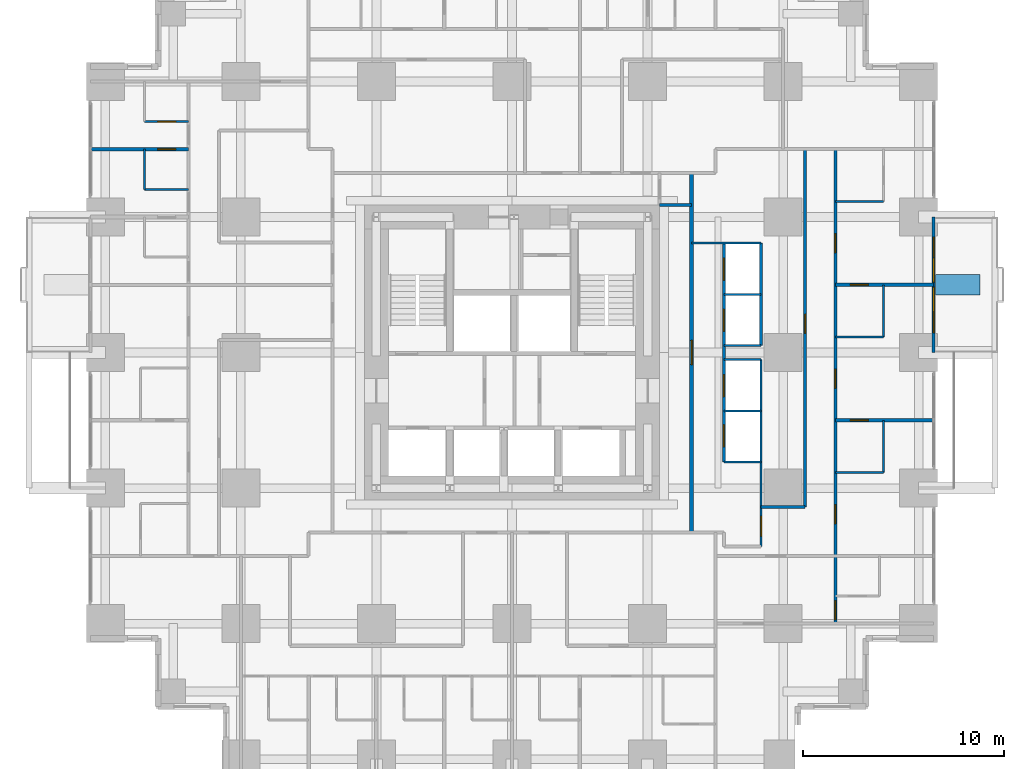
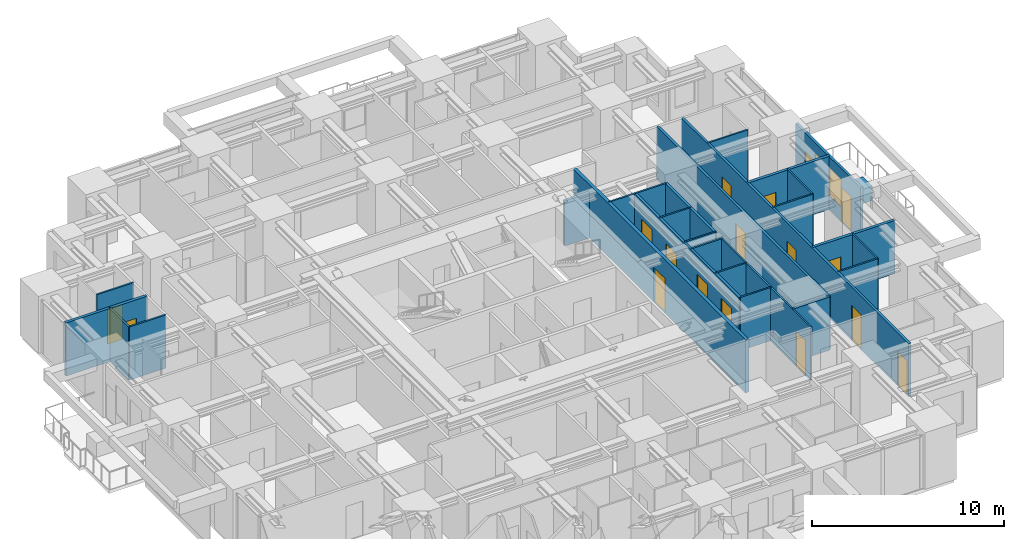
# One storey, part 11 of 14: 27 walls, 17 doors, 2 windows, 19 openings.
"""IFC4 building model written with IfcOpenShell, lengths in metres."""

from ifc_helpers import new_model, si_unit, direction, frame, frame_2d, origin, place, context, subcontext, project, spatial, rectangle, extrude, material, layer, layer_set, type_object, element, fill, save


model = new_model("IFC4")

# Units and contexts
model_context = context("Model", 3, precision=1e-05, world=origin(), true_north=direction((0.0, 1.0)))
body_context = subcontext(model_context, "Body", "Model", "MODEL_VIEW")
ifc_project = project(units=[si_unit("LENGTHUNIT", "METRE"), si_unit("AREAUNIT", "SQUARE_METRE"), si_unit("VOLUMEUNIT", "CUBIC_METRE"), si_unit("PLANEANGLEUNIT", "RADIAN"), si_unit("MASSUNIT", "GRAM", prefix="KILO")], contexts=[model_context])

# Site, building, storey
site_placement = place(None, origin())
site = spatial("IfcSite", under=ifc_project, at=site_placement, CompositionType="ELEMENT")
building_placement = place(site_placement, origin())
building = spatial("IfcBuilding", under=site, at=building_placement, Name="Nyansa Garden Tower", CompositionType="ELEMENT")
storey_placement = place(building_placement, frame((0.0, 0.0, 43.199951171875)))
storey = spatial("IfcBuildingStorey", under=building, at=storey_placement, Name="L11", CompositionType="ELEMENT", Elevation=43.199951171875)

# Wall, opening, door
ifc_material_1 = material(Name="Dense blockwork, plastered both sides, 55 dB", Category="masonry")
ifc_layer_1 = layer(ifc_material_1, 0.175048828125)
ifc_layer_set_1 = layer_set([ifc_layer_1], Name="Acoustic party wall PW175")
wall_type_1 = type_object("IfcWallType", Name="Acoustic party wall PW175", PredefinedType="PARTITIONING", material=ifc_layer_set_1)
wall_1_placement = place(storey_placement, frame((-0.73388671875, 30.375, 0.0), z_axis=(0.0, 0.0, 1.0), x_axis=(1.0, 0.0, 0.0)))
wall_1 = element("IfcWall", 1, at=wall_1_placement, inside=storey, type_object=wall_type_1, Name="Party wall", PredefinedType="PARTITIONING", context=body_context, shape_type="SweptSolid", body=[
    extrude(rectangle(XDim=4.8837890625, YDim=0.175048828125, at=frame_2d((2.44189453125, 0.0))), origin(), (0.0, 0.0, 1.0), 3.375),
])
opening_1_placement = place(wall_1_placement, frame((3.333984375, 0.0, 0.0)))
opening_1 = element("IfcOpeningElement", 2, at=opening_1_placement, cuts=wall_1, Name="Opening D02", PredefinedType="OPENING", context=body_context, shape_type="SweptSolid", body=[
    extrude(rectangle(XDim=0.89990234375, YDim=2.199951171875, at=frame_2d((0.449951171875, 1.10009765625))), frame((0.0, 0.097412109375, 0.0), z_axis=(0.0, -1.0, 0.0), x_axis=(1.0, 0.0, 0.0)), (0.0, 0.0, 1.0), 0.195068359375),
])
ifc_material_2 = material(Name="Timber flush door", Category="wood")
door_type_1 = type_object("IfcDoorType", Name="En-suite door D02 900x2200", OperationType="SINGLE_SWING_RIGHT", PredefinedType="DOOR", material=ifc_material_2)
door_1_placement = place(opening_1_placement, origin())
door_1 = element("IfcDoor", 3, at=door_1_placement, inside=storey, type_object=door_type_1, Name="Door L11-065", OperationType="SINGLE_SWING_RIGHT", OverallHeight=2.199951171875, OverallWidth=0.89990234375, PredefinedType="DOOR", context=body_context, shape_type="SweptSolid", body=[
    extrude(rectangle(XDim=0.89990234375, YDim=2.199951171875, at=frame_2d((0.449951171875, 1.10009765625))), frame((0.0, 0.02490234375, 0.0), z_axis=(0.0, -1.0, 0.0), x_axis=(1.0, 0.0, 0.0)), (0.0, 0.0, 1.0), 0.050048828125),
])
fill(opening_1, door_1)

wall_2_placement = place(storey_placement, frame((36.35009765625, 16.875, 0.0), z_axis=(0.0, 0.0, 1.0), x_axis=(1.0, 0.0, 0.0)))
wall_2 = element("IfcWall", 4, at=wall_2_placement, inside=storey, type_object=wall_type_1, Name="Party wall", PredefinedType="PARTITIONING", context=body_context, shape_type="SweptSolid", body=[
    extrude(rectangle(XDim=4.8837890625, YDim=0.175048828125, at=frame_2d((2.44189453125, 0.0))), origin(), (0.0, 0.0, 1.0), 3.375),
])
opening_2_placement = place(wall_2_placement, frame((0.75, 0.0, 0.0)))
opening_2 = element("IfcOpeningElement", 5, at=opening_2_placement, cuts=wall_2, Name="Opening D02", PredefinedType="OPENING", context=body_context, shape_type="SweptSolid", body=[
    extrude(rectangle(XDim=0.89990234375, YDim=2.199951171875, at=frame_2d((0.449951171875, 1.10009765625))), frame((0.0, 0.097412109375, 0.0), z_axis=(0.0, -1.0, 0.0), x_axis=(1.0, 0.0, 0.0)), (0.0, 0.0, 1.0), 0.195068359375),
])
door_2_placement = place(opening_2_placement, origin())
door_2 = element("IfcDoor", 6, at=door_2_placement, inside=storey, type_object=door_type_1, Name="Door L11-045", OperationType="SINGLE_SWING_RIGHT", OverallHeight=2.199951171875, OverallWidth=0.89990234375, PredefinedType="DOOR", context=body_context, shape_type="SweptSolid", body=[
    extrude(rectangle(XDim=0.89990234375, YDim=2.199951171875, at=frame_2d((0.449951171875, 1.10009765625))), frame((0.0, 0.02490234375, 0.0), z_axis=(0.0, -1.0, 0.0), x_axis=(1.0, 0.0, 0.0)), (0.0, 0.0, 1.0), 0.050048828125),
])
fill(opening_2, door_2)

wall_3_placement = place(storey_placement, frame((36.35009765625, 23.625, 0.0), z_axis=(0.0, 0.0, 1.0), x_axis=(1.0, 0.0, 0.0)))
wall_3 = element("IfcWall", 7, at=wall_3_placement, inside=storey, type_object=wall_type_1, Name="Party wall", PredefinedType="PARTITIONING", context=body_context, shape_type="SweptSolid", body=[
    extrude(rectangle(XDim=4.8837890625, YDim=0.175048828125, at=frame_2d((2.44189453125, 0.0))), origin(), (0.0, 0.0, 1.0), 3.375),
])
opening_3_placement = place(wall_3_placement, frame((0.75, 0.0, 0.0)))
opening_3 = element("IfcOpeningElement", 8, at=opening_3_placement, cuts=wall_3, Name="Opening D02", PredefinedType="OPENING", context=body_context, shape_type="SweptSolid", body=[
    extrude(rectangle(XDim=0.89990234375, YDim=2.199951171875, at=frame_2d((0.449951171875, 1.10009765625))), frame((0.0, 0.097412109375, 0.0), z_axis=(0.0, -1.0, 0.0), x_axis=(1.0, 0.0, 0.0)), (0.0, 0.0, 1.0), 0.195068359375),
])
door_3_placement = place(opening_3_placement, origin())
door_3 = element("IfcDoor", 9, at=door_3_placement, inside=storey, type_object=door_type_1, Name="Door L11-043", OperationType="SINGLE_SWING_RIGHT", OverallHeight=2.199951171875, OverallWidth=0.89990234375, PredefinedType="DOOR", context=body_context, shape_type="SweptSolid", body=[
    extrude(rectangle(XDim=0.89990234375, YDim=2.199951171875, at=frame_2d((0.449951171875, 1.10009765625))), frame((0.0, 0.02490234375, 0.0), z_axis=(0.0, -1.0, 0.0), x_axis=(1.0, 0.0, 0.0)), (0.0, 0.0, 1.0), 0.050048828125),
])
fill(opening_3, door_3)

# Wall, openings, doors, windows
ifc_material_3 = material(Name="Black aluminium framed glazed screen", Category="aluminium")
ifc_layer_2 = layer(ifc_material_3, 0.14990234375)
ifc_layer_set_2 = layer_set([ifc_layer_2], Name="Balcony screen wall BW150")
wall_type_2 = type_object("IfcWallType", Name="Balcony screen wall BW150", PredefinedType="SOLIDWALL", material=ifc_layer_set_2)
wall_4_placement = place(storey_placement, frame((41.25, 27.0, 0.0), z_axis=(0.0, 0.0, 1.0), x_axis=(0.0, -1.0, 0.0)))
wall_4 = element("IfcWall", 10, at=wall_4_placement, inside=storey, type_object=wall_type_2, Name="Glazed screen wall L11 E", PredefinedType="SOLIDWALL", context=body_context, shape_type="SweptSolid", body=[
    extrude(rectangle(XDim=6.75, YDim=0.14990234375, at=frame_2d((3.375, 0.0))), origin(), (0.0, 0.0, 1.0), 3.375),
])
opening_4_placement = place(wall_4_placement, frame((0.995849609375, 0.0, 0.0)))
opening_4 = element("IfcOpeningElement", 11, at=opening_4_placement, cuts=wall_4, Name="Opening D20", PredefinedType="OPENING", context=body_context, shape_type="SweptSolid", body=[
    extrude(rectangle(XDim=1.0, YDim=2.199951171875, at=frame_2d((0.5, 1.10009765625))), frame((0.0, 0.0849609375, 0.0), z_axis=(0.0, -1.0, 0.0), x_axis=(1.0, 0.0, 0.0)), (0.0, 0.0, 1.0), 0.169921875),
])
opening_5_placement = place(wall_4_placement, frame((2.041748046875, 0.0, 0.89990234375)))
opening_5 = element("IfcOpeningElement", 12, at=opening_5_placement, cuts=wall_4, Name="Opening W6", PredefinedType="OPENING", context=body_context, shape_type="SweptSolid", body=[
    extrude(rectangle(XDim=1.199951171875, YDim=1.800048828125, at=frame_2d((0.60009765625, 0.89990234375))), frame((0.0, 0.0849609375, 0.0), z_axis=(0.0, -1.0, 0.0), x_axis=(1.0, 0.0, 0.0)), (0.0, 0.0, 1.0), 0.169921875),
])
opening_6_placement = place(wall_4_placement, frame((4.754150390625, 0.0, 0.0)))
opening_6 = element("IfcOpeningElement", 13, at=opening_6_placement, cuts=wall_4, Name="Opening D20", PredefinedType="OPENING", context=body_context, shape_type="SweptSolid", body=[
    extrude(rectangle(XDim=1.0, YDim=2.199951171875, at=frame_2d((0.5, 1.10009765625))), frame((0.0, 0.0849609375, 0.0), z_axis=(0.0, -1.0, 0.0), x_axis=(1.0, 0.0, 0.0)), (0.0, 0.0, 1.0), 0.169921875),
])
opening_7_placement = place(wall_4_placement, frame((3.50830078125, 0.0, 0.89990234375)))
opening_7 = element("IfcOpeningElement", 14, at=opening_7_placement, cuts=wall_4, Name="Opening W6", PredefinedType="OPENING", context=body_context, shape_type="SweptSolid", body=[
    extrude(rectangle(XDim=1.199951171875, YDim=1.800048828125, at=frame_2d((0.60009765625, 0.89990234375))), frame((0.0, 0.0849609375, 0.0), z_axis=(0.0, -1.0, 0.0), x_axis=(1.0, 0.0, 0.0)), (0.0, 0.0, 1.0), 0.169921875),
])
ifc_material_4 = material(Name="Black aluminium framed glazed door", Category="aluminium")
door_type_2 = type_object("IfcDoorType", Name="Balcony door D20 1000x2200", OperationType="NOTDEFINED", PredefinedType="DOOR", material=ifc_material_4)
door_4_placement = place(opening_4_placement, origin())
door_4 = element("IfcDoor", 15, at=door_4_placement, inside=storey, type_object=door_type_2, Name="Balcony door L11", OperationType="SINGLE_SWING_LEFT", OverallHeight=2.199951171875, OverallWidth=1.0, PredefinedType="DOOR", context=body_context, shape_type="SweptSolid", body=[
    extrude(rectangle(XDim=1.0, YDim=2.199951171875, at=frame_2d((0.5, 1.10009765625))), frame((0.0, 0.02490234375, 0.0), z_axis=(0.0, -1.0, 0.0), x_axis=(1.0, 0.0, 0.0)), (0.0, 0.0, 1.0), 0.050048828125),
])
fill(opening_4, door_4)
door_5_placement = place(opening_6_placement, origin())
door_5 = element("IfcDoor", 16, at=door_5_placement, inside=storey, type_object=door_type_2, Name="Balcony door L11", OperationType="SINGLE_SWING_RIGHT", OverallHeight=2.199951171875, OverallWidth=1.0, PredefinedType="DOOR", context=body_context, shape_type="SweptSolid", body=[
    extrude(rectangle(XDim=1.0, YDim=2.199951171875, at=frame_2d((0.5, 1.10009765625))), frame((0.0, 0.02490234375, 0.0), z_axis=(0.0, -1.0, 0.0), x_axis=(1.0, 0.0, 0.0)), (0.0, 0.0, 1.0), 0.050048828125),
])
fill(opening_6, door_5)
ifc_material_5 = material(Name="Black aluminium frame, dark tinted double glazing", Category="aluminium")
window_type = type_object("IfcWindowType", Name="Balcony window W6 1200x1800", PartitioningType="SINGLE_PANEL", PredefinedType="WINDOW", material=ifc_material_5)
window_1_placement = place(opening_5_placement, origin())
window_1 = element("IfcWindow", 17, at=window_1_placement, inside=storey, type_object=window_type, Name="Window L11", OverallHeight=1.800048828125, OverallWidth=1.199951171875, PartitioningType="SINGLE_PANEL", PredefinedType="WINDOW", context=body_context, shape_type="SweptSolid", body=[
    extrude(rectangle(XDim=1.199951171875, YDim=1.800048828125, at=frame_2d((0.60009765625, 0.89990234375))), frame((0.0, 0.030029296875, 0.0), z_axis=(0.0, -1.0, 0.0), x_axis=(1.0, 0.0, 0.0)), (0.0, 0.0, 1.0), 0.06005859375),
])
fill(opening_5, window_1)
window_2_placement = place(opening_7_placement, origin())
window_2 = element("IfcWindow", 18, at=window_2_placement, inside=storey, type_object=window_type, Name="Window L11", OverallHeight=1.800048828125, OverallWidth=1.199951171875, PartitioningType="SINGLE_PANEL", PredefinedType="WINDOW", context=body_context, shape_type="SweptSolid", body=[
    extrude(rectangle(XDim=1.199951171875, YDim=1.800048828125, at=frame_2d((0.60009765625, 0.89990234375))), frame((0.0, 0.030029296875, 0.0), z_axis=(0.0, -1.0, 0.0), x_axis=(1.0, 0.0, 0.0)), (0.0, 0.0, 1.0), 0.06005859375),
])
fill(opening_7, window_2)

# Wall, opening, door
ifc_material_6 = material(Name="Concrete blockwork, plastered, 60 minute fire resisting", Category="masonry")
ifc_layer_3 = layer(ifc_material_6, 0.199951171875)
ifc_layer_set_3 = layer_set([ifc_layer_3], Name="Corridor wall FW200")
wall_type_3 = type_object("IfcWallType", Name="Corridor wall FW200", PredefinedType="PARTITIONING", material=ifc_layer_set_3)
wall_5_placement = place(storey_placement, frame((29.199951171875, 11.300048828125, 0.0), z_axis=(0.0, 0.0, 1.0), x_axis=(0.0, 1.0, 0.0)))
wall_5 = element("IfcWall", 19, at=wall_5_placement, inside=storey, type_object=wall_type_3, Name="Corridor wall", PredefinedType="PARTITIONING", context=body_context, shape_type="SweptSolid", body=[
    extrude(rectangle(XDim=17.89990234375, YDim=0.199951171875, at=frame_2d((8.949951171875, 0.0))), origin(), (0.0, 0.0, 1.0), 3.375),
])
opening_8_placement = place(wall_5_placement, frame((8.35009765625, 0.0, 0.0)))
opening_8 = element("IfcOpeningElement", 20, at=opening_8_placement, cuts=wall_5, Name="Opening D06", PredefinedType="OPENING", context=body_context, shape_type="SweptSolid", body=[
    extrude(rectangle(XDim=1.199951171875, YDim=2.199951171875, at=frame_2d((0.60009765625, 1.10009765625))), frame((0.0, 0.10986328125, 0.0), z_axis=(0.0, -1.0, 0.0), x_axis=(1.0, 0.0, 0.0)), (0.0, 0.0, 1.0), 0.219970703125),
])
ifc_material_7 = material(Name="Steel door, 120 minute fire resisting", Category="steel")
door_type_3 = type_object("IfcDoorType", Name="Lobby door D06 1200x2200", OperationType="DOUBLE_DOOR_SINGLE_SWING", PredefinedType="DOOR", material=ifc_material_7)
door_6_placement = place(opening_8_placement, origin())
door_6 = element("IfcDoor", 21, at=door_6_placement, inside=storey, type_object=door_type_3, Name="Low-rise lift lobby door", OperationType="DOUBLE_DOOR_SINGLE_SWING", OverallHeight=2.199951171875, OverallWidth=1.199951171875, PredefinedType="DOOR", context=body_context, shape_type="SweptSolid", body=[
    extrude(rectangle(XDim=1.199951171875, YDim=2.199951171875, at=frame_2d((0.60009765625, 1.10009765625))), frame((0.0, 0.02490234375, 0.0), z_axis=(0.0, -1.0, 0.0), x_axis=(1.0, 0.0, 0.0)), (0.0, 0.0, 1.0), 0.050048828125),
])
fill(opening_8, door_6)

# Walls
ifc_material_8 = material(Name="Steel-stud shaft wall, two layers fire-rated board, EI 120", Category="steel")
ifc_layer_4 = layer(ifc_material_8, 0.10009765625)
ifc_layer_set_4 = layer_set([ifc_layer_4], Name="Lift shaft wall SW100")
wall_type_4 = type_object("IfcWallType", Name="Lift shaft wall SW100", PredefinedType="SHEAR", material=ifc_layer_set_4)
wall_6_placement = place(storey_placement, frame((29.199951171875, 25.699951171875, 0.0), z_axis=(0.0, 0.0, 1.0), x_axis=(1.0, 0.0, 0.0)))
element("IfcWall", 22, at=wall_6_placement, inside=storey, type_object=wall_type_4, Name="Lift shaft wall", PredefinedType="SHEAR", context=body_context, shape_type="SweptSolid", body=[
    extrude(rectangle(XDim=3.449951171875, YDim=0.10009765625, at=frame_2d((1.72509765625, 0.0))), origin(), (0.0, 0.0, 1.0), 3.375),
])
for number, where, z_axis, x_axis, name in (
    (23, (30.800048828125, 14.800048828125, 0.0), (0.0, 0.0, 1.0), (1.0, 0.0, 0.0), "Lift shaft wall"),
    (24, (30.800048828125, 17.35009765625, 0.0), (0.0, 0.0, 1.0), (1.0, 0.0, 0.0), "Lift shaft wall"),
    (25, (30.800048828125, 19.89990234375, 0.0), (0.0, 0.0, 1.0), (1.0, 0.0, 0.0), "Lift shaft wall"),
    (26, (30.800048828125, 20.60009765625, 0.0), (0.0, 0.0, 1.0), (1.0, 0.0, 0.0), "Lift shaft wall"),
    (27, (30.800048828125, 23.14990234375, 0.0), (0.0, 0.0, 1.0), (1.0, 0.0, 0.0), "Lift shaft wall"),
):
    element("IfcWall", number, at=place(storey_placement, frame(where, z_axis=z_axis, x_axis=x_axis)), inside=storey, type_object=wall_type_4, Name=name, PredefinedType="SHEAR", context=body_context, shape_type="SweptSolid", body=[
        extrude(rectangle(XDim=1.849853515625, YDim=0.10009765625, at=frame_2d((0.9248046875, 0.0))), origin(), (0.0, 0.0, 1.0), 3.375),
    ])

# Wall, opening, door
wall_7_placement = place(storey_placement, frame((32.64990234375, 10.60009765625, 0.0), z_axis=(0.0, 0.0, 1.0), x_axis=(0.0, 1.0, 0.0)))
wall_7 = element("IfcWall", 28, at=wall_7_placement, inside=storey, type_object=wall_type_4, Name="Lift shaft wall", PredefinedType="SHEAR", context=body_context, shape_type="SweptSolid", body=[
    extrude(rectangle(XDim=9.2998046875, YDim=0.10009765625, at=frame_2d((4.64990234375, 0.0))), origin(), (0.0, 0.0, 1.0), 3.375),
])
opening_9_placement = place(wall_7_placement, frame((0.5, 0.0, 0.0)))
opening_9 = element("IfcOpeningElement", 29, at=opening_9_placement, cuts=wall_7, Name="Opening D03", PredefinedType="OPENING", context=body_context, shape_type="SweptSolid", body=[
    extrude(rectangle(XDim=1.0, YDim=2.199951171875, at=frame_2d((0.5, 1.10009765625))), frame((0.0, 0.06005859375, 0.0), z_axis=(0.0, -1.0, 0.0), x_axis=(1.0, 0.0, 0.0)), (0.0, 0.0, 1.0), 0.1201171875),
])
ifc_material_9 = material(Name="Timber flush door, 60 minute fire resisting", Category="wood")
door_type_4 = type_object("IfcDoorType", Name="Cluster entrance door D03 1000x2200", OperationType="SINGLE_SWING_LEFT", PredefinedType="DOOR", material=ifc_material_9)
door_7_placement = place(opening_9_placement, origin())
door_7 = element("IfcDoor", 30, at=door_7_placement, inside=storey, type_object=door_type_4, Name="Door L11-046", OperationType="SINGLE_SWING_LEFT", OverallHeight=2.199951171875, OverallWidth=1.0, PredefinedType="DOOR", context=body_context, shape_type="SweptSolid", body=[
    extrude(rectangle(XDim=1.0, YDim=2.199951171875, at=frame_2d((0.5, 1.10009765625))), frame((0.0, 0.02490234375, 0.0), z_axis=(0.0, -1.0, 0.0), x_axis=(1.0, 0.0, 0.0)), (0.0, 0.0, 1.0), 0.050048828125),
])
fill(opening_9, door_7)

# Wall
ifc_material_10 = material(Name="Blockwork, plastered both sides", Category="masonry")
ifc_layer_5 = layer(ifc_material_10, 0.14990234375)
ifc_layer_set_5 = layer_set([ifc_layer_5], Name="Partition PW150")
wall_type_5 = type_object("IfcWallType", Name="Partition PW150", PredefinedType="PARTITIONING", material=ifc_layer_set_5)
wall_8_placement = place(storey_placement, frame((27.60009765625, 27.60009765625, 0.0), z_axis=(0.0, 0.0, 1.0), x_axis=(1.0, 0.0, 0.0)))
element("IfcWall", 31, at=wall_8_placement, inside=storey, type_object=wall_type_5, Name="Partition", PredefinedType="PARTITIONING", context=body_context, shape_type="SweptSolid", body=[
    extrude(rectangle(XDim=1.599853515625, YDim=0.14990234375, at=frame_2d((0.7998046875, 0.0))), origin(), (0.0, 0.0, 1.0), 2.876953125),
])

# Wall, openings, doors
wall_9_placement = place(storey_placement, frame((30.800048828125, 14.800048828125, 0.0), z_axis=(0.0, 0.0, 1.0), x_axis=(0.0, 1.0, 0.0)))
wall_9 = element("IfcWall", 32, at=wall_9_placement, inside=storey, type_object=wall_type_5, Name="Partition", PredefinedType="PARTITIONING", context=body_context, shape_type="SweptSolid", body=[
    extrude(rectangle(XDim=10.89990234375, YDim=0.14990234375, at=frame_2d((5.449951171875, 0.0))), origin(), (0.0, 0.0, 1.0), 3.375),
])
opening_10_placement = place(wall_9_placement, frame((0.75, 0.0, 0.0)))
opening_10 = element("IfcOpeningElement", 33, at=opening_10_placement, cuts=wall_9, Name="Opening LD-A", PredefinedType="OPENING", context=body_context, shape_type="SweptSolid", body=[
    extrude(rectangle(XDim=1.10009765625, YDim=2.199951171875, at=frame_2d((0.550048828125, 1.10009765625))), frame((0.0, 0.0849609375, 0.0), z_axis=(0.0, -1.0, 0.0), x_axis=(1.0, 0.0, 0.0)), (0.0, 0.0, 1.0), 0.169921875),
])
opening_11_placement = place(wall_9_placement, frame((3.25, 0.0, 0.0)))
opening_11 = element("IfcOpeningElement", 34, at=opening_11_placement, cuts=wall_9, Name="Opening LD-A", PredefinedType="OPENING", context=body_context, shape_type="SweptSolid", body=[
    extrude(rectangle(XDim=1.10009765625, YDim=2.199951171875, at=frame_2d((0.550048828125, 1.10009765625))), frame((0.0, 0.0849609375, 0.0), z_axis=(0.0, -1.0, 0.0), x_axis=(1.0, 0.0, 0.0)), (0.0, 0.0, 1.0), 0.169921875),
])
opening_12_placement = place(wall_9_placement, frame((6.5, 0.0, 0.0)))
opening_12 = element("IfcOpeningElement", 35, at=opening_12_placement, cuts=wall_9, Name="Opening LD-A", PredefinedType="OPENING", context=body_context, shape_type="SweptSolid", body=[
    extrude(rectangle(XDim=1.10009765625, YDim=2.199951171875, at=frame_2d((0.550048828125, 1.10009765625))), frame((0.0, 0.0849609375, 0.0), z_axis=(0.0, -1.0, 0.0), x_axis=(1.0, 0.0, 0.0)), (0.0, 0.0, 1.0), 0.169921875),
])
opening_13_placement = place(wall_9_placement, frame((9.050048828125, 0.0, 0.0)))
opening_13 = element("IfcOpeningElement", 36, at=opening_13_placement, cuts=wall_9, Name="Opening LD-A", PredefinedType="OPENING", context=body_context, shape_type="SweptSolid", body=[
    extrude(rectangle(XDim=1.10009765625, YDim=2.199951171875, at=frame_2d((0.550048828125, 1.10009765625))), frame((0.0, 0.0849609375, 0.0), z_axis=(0.0, -1.0, 0.0), x_axis=(1.0, 0.0, 0.0)), (0.0, 0.0, 1.0), 0.169921875),
])
ifc_material_11 = material(Name="Stainless steel centre-opening landing door of the low-rise lift, E 120", Category="steel")
door_type_5 = type_object("IfcDoorType", Name="Lift landing door LD-A 1100x2200", OperationType="DOUBLE_DOOR_SLIDING", PredefinedType="DOOR", material=ifc_material_11)
door_8_placement = place(opening_10_placement, origin())
door_8 = element("IfcDoor", 37, at=door_8_placement, inside=storey, type_object=door_type_5, Name="Landing door A1", OperationType="DOUBLE_DOOR_SLIDING", OverallHeight=2.199951171875, OverallWidth=1.10009765625, PredefinedType="DOOR", context=body_context, shape_type="SweptSolid", body=[
    extrude(rectangle(XDim=1.10009765625, YDim=2.199951171875, at=frame_2d((0.550048828125, 1.10009765625))), frame((0.0, 0.02490234375, 0.0), z_axis=(0.0, -1.0, 0.0), x_axis=(1.0, 0.0, 0.0)), (0.0, 0.0, 1.0), 0.050048828125),
])
fill(opening_10, door_8)
door_9_placement = place(opening_11_placement, origin())
door_9 = element("IfcDoor", 38, at=door_9_placement, inside=storey, type_object=door_type_5, Name="Landing door A2", OperationType="DOUBLE_DOOR_SLIDING", OverallHeight=2.199951171875, OverallWidth=1.10009765625, PredefinedType="DOOR", context=body_context, shape_type="SweptSolid", body=[
    extrude(rectangle(XDim=1.10009765625, YDim=2.199951171875, at=frame_2d((0.550048828125, 1.10009765625))), frame((0.0, 0.02490234375, 0.0), z_axis=(0.0, -1.0, 0.0), x_axis=(1.0, 0.0, 0.0)), (0.0, 0.0, 1.0), 0.050048828125),
])
fill(opening_11, door_9)
door_10_placement = place(opening_12_placement, origin())
door_10 = element("IfcDoor", 39, at=door_10_placement, inside=storey, type_object=door_type_5, Name="Landing door A3", OperationType="DOUBLE_DOOR_SLIDING", OverallHeight=2.199951171875, OverallWidth=1.10009765625, PredefinedType="DOOR", context=body_context, shape_type="SweptSolid", body=[
    extrude(rectangle(XDim=1.10009765625, YDim=2.199951171875, at=frame_2d((0.550048828125, 1.10009765625))), frame((0.0, 0.02490234375, 0.0), z_axis=(0.0, -1.0, 0.0), x_axis=(1.0, 0.0, 0.0)), (0.0, 0.0, 1.0), 0.050048828125),
])
fill(opening_12, door_10)
door_11_placement = place(opening_13_placement, origin())
door_11 = element("IfcDoor", 40, at=door_11_placement, inside=storey, type_object=door_type_5, Name="Landing door A4", OperationType="DOUBLE_DOOR_SLIDING", OverallHeight=2.199951171875, OverallWidth=1.10009765625, PredefinedType="DOOR", context=body_context, shape_type="SweptSolid", body=[
    extrude(rectangle(XDim=1.10009765625, YDim=2.199951171875, at=frame_2d((0.550048828125, 1.10009765625))), frame((0.0, 0.02490234375, 0.0), z_axis=(0.0, -1.0, 0.0), x_axis=(1.0, 0.0, 0.0)), (0.0, 0.0, 1.0), 0.050048828125),
])
fill(opening_13, door_11)

# Walls
wall_10_placement = place(storey_placement, frame((32.64990234375, 12.550048828125, 0.0), z_axis=(0.0, 0.0, 1.0), x_axis=(1.0, 0.0, 0.0)))
element("IfcWall", 41, at=wall_10_placement, inside=storey, type_object=wall_type_5, Name="Partition", PredefinedType="PARTITIONING", context=body_context, shape_type="SweptSolid", body=[
    extrude(rectangle(XDim=2.2001953125, YDim=0.14990234375, at=frame_2d((1.10009765625, 0.0))), origin(), (0.0, 0.0, 1.0), 3.375),
])
wall_11_placement = place(storey_placement, frame((32.64990234375, 20.60009765625, 0.0), z_axis=(0.0, 0.0, 1.0), x_axis=(0.0, 1.0, 0.0)))
element("IfcWall", 42, at=wall_11_placement, inside=storey, type_object=wall_type_5, Name="Partition", PredefinedType="PARTITIONING", context=body_context, shape_type="SweptSolid", body=[
    extrude(rectangle(XDim=5.099853515625, YDim=0.14990234375, at=frame_2d((2.5498046875, 0.0))), origin(), (0.0, 0.0, 1.0), 3.375),
])

# Wall, opening, door
wall_12_placement = place(storey_placement, frame((34.85009765625, 12.550048828125, 0.0), z_axis=(0.0, 0.0, 1.0), x_axis=(0.0, 1.0, 0.0)))
wall_12 = element("IfcWall", 43, at=wall_12_placement, inside=storey, type_object=wall_type_5, Name="Partition", PredefinedType="PARTITIONING", context=body_context, shape_type="SweptSolid", body=[
    extrude(rectangle(XDim=17.824951171875, YDim=0.14990234375, at=frame_2d((8.91259765625, 0.0))), origin(), (0.0, 0.0, 1.0), 3.375),
])
opening_14_placement = place(wall_12_placement, frame((8.64990234375, 0.0, 0.0)))
opening_14 = element("IfcOpeningElement", 44, at=opening_14_placement, cuts=wall_12, Name="Opening D01", PredefinedType="OPENING", context=body_context, shape_type="SweptSolid", body=[
    extrude(rectangle(XDim=0.949951171875, YDim=2.199951171875, at=frame_2d((0.47509765625, 1.10009765625))), frame((0.0, 0.0849609375, 0.0), z_axis=(0.0, -1.0, 0.0), x_axis=(1.0, 0.0, 0.0)), (0.0, 0.0, 1.0), 0.169921875),
])
ifc_material_12 = material(Name="Timber flush door, 30 minute fire resisting", Category="wood")
door_type_6 = type_object("IfcDoorType", Name="Bedroom door D01 950x2200", OperationType="SINGLE_SWING_LEFT", PredefinedType="DOOR", material=ifc_material_12)
door_12_placement = place(opening_14_placement, origin())
door_12 = element("IfcDoor", 45, at=door_12_placement, inside=storey, type_object=door_type_6, Name="Door L11-047", OperationType="SINGLE_SWING_LEFT", OverallHeight=2.199951171875, OverallWidth=0.949951171875, PredefinedType="DOOR", context=body_context, shape_type="SweptSolid", body=[
    extrude(rectangle(XDim=0.949951171875, YDim=2.199951171875, at=frame_2d((0.47509765625, 1.10009765625))), frame((0.0, 0.02490234375, 0.0), z_axis=(0.0, -1.0, 0.0), x_axis=(1.0, 0.0, 0.0)), (0.0, 0.0, 1.0), 0.050048828125),
])
fill(opening_14, door_12)

# Wall, openings, doors
wall_13_placement = place(storey_placement, frame((36.35009765625, 6.75, 0.0), z_axis=(0.0, 0.0, 1.0), x_axis=(0.0, 1.0, 0.0)))
wall_13 = element("IfcWall", 46, at=wall_13_placement, inside=storey, type_object=wall_type_5, Name="Partition", PredefinedType="PARTITIONING", context=body_context, shape_type="SweptSolid", body=[
    extrude(rectangle(XDim=23.625, YDim=0.14990234375, at=frame_2d((11.8125, 0.0))), origin(), (0.0, 0.0, 1.0), 3.375),
])
opening_15_placement = place(wall_13_placement, frame((0.199951171875, 0.0, 0.0)))
opening_15 = element("IfcOpeningElement", 47, at=opening_15_placement, cuts=wall_13, Name="Opening D01", PredefinedType="OPENING", context=body_context, shape_type="SweptSolid", body=[
    extrude(rectangle(XDim=0.949951171875, YDim=2.199951171875, at=frame_2d((0.47509765625, 1.10009765625))), frame((0.0, 0.0849609375, 0.0), z_axis=(0.0, -1.0, 0.0), x_axis=(1.0, 0.0, 0.0)), (0.0, 0.0, 1.0), 0.169921875),
])
opening_16_placement = place(wall_13_placement, frame((18.47509765625, 0.0, 0.0)))
opening_16 = element("IfcOpeningElement", 48, at=opening_16_placement, cuts=wall_13, Name="Opening D14", PredefinedType="OPENING", context=body_context, shape_type="SweptSolid", body=[
    extrude(rectangle(XDim=0.949951171875, YDim=2.199951171875, at=frame_2d((0.47509765625, 1.10009765625))), frame((0.0, 0.0849609375, 0.0), z_axis=(0.0, -1.0, 0.0), x_axis=(1.0, 0.0, 0.0)), (0.0, 0.0, 1.0), 0.169921875),
])
opening_17_placement = place(wall_13_placement, frame((11.72509765625, 0.0, 0.0)))
opening_17 = element("IfcOpeningElement", 49, at=opening_17_placement, cuts=wall_13, Name="Opening D14", PredefinedType="OPENING", context=body_context, shape_type="SweptSolid", body=[
    extrude(rectangle(XDim=0.949951171875, YDim=2.199951171875, at=frame_2d((0.47509765625, 1.10009765625))), frame((0.0, 0.0849609375, 0.0), z_axis=(0.0, -1.0, 0.0), x_axis=(1.0, 0.0, 0.0)), (0.0, 0.0, 1.0), 0.169921875),
])
opening_18_placement = place(wall_13_placement, frame((4.97509765625, 0.0, 0.0)))
opening_18 = element("IfcOpeningElement", 50, at=opening_18_placement, cuts=wall_13, Name="Opening D14", PredefinedType="OPENING", context=body_context, shape_type="SweptSolid", body=[
    extrude(rectangle(XDim=0.949951171875, YDim=2.199951171875, at=frame_2d((0.47509765625, 1.10009765625))), frame((0.0, 0.0849609375, 0.0), z_axis=(0.0, -1.0, 0.0), x_axis=(1.0, 0.0, 0.0)), (0.0, 0.0, 1.0), 0.169921875),
])
door_13_placement = place(opening_15_placement, origin())
door_13 = element("IfcDoor", 51, at=door_13_placement, inside=storey, type_object=door_type_6, Name="Door L11-037", OperationType="SINGLE_SWING_LEFT", OverallHeight=2.199951171875, OverallWidth=0.949951171875, PredefinedType="DOOR", context=body_context, shape_type="SweptSolid", body=[
    extrude(rectangle(XDim=0.949951171875, YDim=2.199951171875, at=frame_2d((0.47509765625, 1.10009765625))), frame((0.0, 0.02490234375, 0.0), z_axis=(0.0, -1.0, 0.0), x_axis=(1.0, 0.0, 0.0)), (0.0, 0.0, 1.0), 0.050048828125),
])
fill(opening_15, door_13)
ifc_material_13 = material(Name="Timber flush door, 60 minute fire resisting, self-closing", Category="wood")
door_type_7 = type_object("IfcDoorType", Name="Studio entrance door D14 950x2200", OperationType="SINGLE_SWING_LEFT", PredefinedType="DOOR", material=ifc_material_13)
door_14_placement = place(opening_16_placement, origin())
door_14 = element("IfcDoor", 52, at=door_14_placement, inside=storey, type_object=door_type_7, Name="Door L11-040", OperationType="SINGLE_SWING_LEFT", OverallHeight=2.199951171875, OverallWidth=0.949951171875, PredefinedType="DOOR", context=body_context, shape_type="SweptSolid", body=[
    extrude(rectangle(XDim=0.949951171875, YDim=2.199951171875, at=frame_2d((0.47509765625, 1.10009765625))), frame((0.0, 0.02490234375, 0.0), z_axis=(0.0, -1.0, 0.0), x_axis=(1.0, 0.0, 0.0)), (0.0, 0.0, 1.0), 0.050048828125),
])
fill(opening_16, door_14)
door_15_placement = place(opening_17_placement, origin())
door_15 = element("IfcDoor", 53, at=door_15_placement, inside=storey, type_object=door_type_7, Name="Door L11-042", OperationType="SINGLE_SWING_LEFT", OverallHeight=2.199951171875, OverallWidth=0.949951171875, PredefinedType="DOOR", context=body_context, shape_type="SweptSolid", body=[
    extrude(rectangle(XDim=0.949951171875, YDim=2.199951171875, at=frame_2d((0.47509765625, 1.10009765625))), frame((0.0, 0.02490234375, 0.0), z_axis=(0.0, -1.0, 0.0), x_axis=(1.0, 0.0, 0.0)), (0.0, 0.0, 1.0), 0.050048828125),
])
fill(opening_17, door_15)
door_16_placement = place(opening_18_placement, origin())
door_16 = element("IfcDoor", 54, at=door_16_placement, inside=storey, type_object=door_type_7, Name="Door L11-044", OperationType="SINGLE_SWING_LEFT", OverallHeight=2.199951171875, OverallWidth=0.949951171875, PredefinedType="DOOR", context=body_context, shape_type="SweptSolid", body=[
    extrude(rectangle(XDim=0.949951171875, YDim=2.199951171875, at=frame_2d((0.47509765625, 1.10009765625))), frame((0.0, 0.02490234375, 0.0), z_axis=(0.0, -1.0, 0.0), x_axis=(1.0, 0.0, 0.0)), (0.0, 0.0, 1.0), 0.050048828125),
])
fill(opening_18, door_16)

# Walls
ifc_material_14 = material(Name="Concrete C40/50 planter, waterproofed", Category="concrete")
ifc_layer_6 = layer(ifc_material_14, 1.0)
ifc_layer_set_6 = layer_set([ifc_layer_6], Name="Tree planter TP1")
wall_type_6 = type_object("IfcWallType", Name="Tree planter TP1", PredefinedType="USERDEFINED", material=ifc_layer_set_6)
wall_14_placement = place(storey_placement, frame((41.35009765625, 23.625, 0.0), z_axis=(0.0, 0.0, 1.0), x_axis=(1.0, 0.0, 0.0)))
element("IfcWall", 55, at=wall_14_placement, inside=storey, type_object=wall_type_6, Name="Tree planter L11", ObjectType="TREE PLANTER", PredefinedType="USERDEFINED", context=body_context, shape_type="SweptSolid", body=[
    extrude(rectangle(XDim=2.199951171875, YDim=1.0, at=frame_2d((1.10009765625, 0.0))), origin(), (0.0, 0.0, 1.0), 0.900146484375),
])
ifc_material_15 = material(Name="Moisture resistant board on steel studs, tiled", Category="steel")
ifc_layer_7 = layer(ifc_material_15, 0.10009765625)
ifc_layer_set_7 = layer_set([ifc_layer_7], Name="Wet wall PW100")
wall_type_7 = type_object("IfcWallType", Name="Wet wall PW100", PredefinedType="PARTITIONING", material=ifc_layer_set_7)
wall_15_placement = place(storey_placement, frame((1.949951171875, 28.375, 0.0), z_axis=(0.0, 0.0, 1.0), x_axis=(0.0, 1.0, 0.0)))
element("IfcWall", 56, at=wall_15_placement, inside=storey, type_object=wall_type_7, Name="Wet wall", PredefinedType="PARTITIONING", context=body_context, shape_type="SweptSolid", body=[
    extrude(rectangle(XDim=2.0, YDim=0.10009765625, at=frame_2d((1.0, 0.0))), origin(), (0.0, 0.0, 1.0), 3.375),
])
wall_16_placement = place(storey_placement, frame((1.949951171875, 28.375, 0.0), z_axis=(0.0, 0.0, 1.0), x_axis=(1.0, 0.0, 0.0)))
element("IfcWall", 57, at=wall_16_placement, inside=storey, type_object=wall_type_7, Name="Wet wall", PredefinedType="PARTITIONING", context=body_context, shape_type="SweptSolid", body=[
    extrude(rectangle(XDim=2.199951171875, YDim=0.10009765625, at=frame_2d((1.10009765625, 0.0))), origin(), (0.0, 0.0, 1.0), 3.375),
])

# Wall, opening, door
wall_17_placement = place(storey_placement, frame((1.949951171875, 31.75, 0.0), z_axis=(0.0, 0.0, 1.0), x_axis=(1.0, 0.0, 0.0)))
wall_17 = element("IfcWall", 58, at=wall_17_placement, inside=storey, type_object=wall_type_7, Name="Wet wall", PredefinedType="PARTITIONING", context=body_context, shape_type="SweptSolid", body=[
    extrude(rectangle(XDim=2.199951171875, YDim=0.10009765625, at=frame_2d((1.10009765625, 0.0))), origin(), (0.0, 0.0, 1.0), 3.375),
])
opening_19_placement = place(wall_17_placement, frame((0.64990234375, 0.0, 0.0)))
opening_19 = element("IfcOpeningElement", 59, at=opening_19_placement, cuts=wall_17, Name="Opening D02", PredefinedType="OPENING", context=body_context, shape_type="SweptSolid", body=[
    extrude(rectangle(XDim=0.89990234375, YDim=2.199951171875, at=frame_2d((0.449951171875, 1.10009765625))), frame((0.0, 0.06005859375, 0.0), z_axis=(0.0, -1.0, 0.0), x_axis=(1.0, 0.0, 0.0)), (0.0, 0.0, 1.0), 0.1201171875),
])
door_17_placement = place(opening_19_placement, origin())
door_17 = element("IfcDoor", 60, at=door_17_placement, inside=storey, type_object=door_type_1, Name="Door L11-063", OperationType="SINGLE_SWING_RIGHT", OverallHeight=2.199951171875, OverallWidth=0.89990234375, PredefinedType="DOOR", context=body_context, shape_type="SweptSolid", body=[
    extrude(rectangle(XDim=0.89990234375, YDim=2.199951171875, at=frame_2d((0.449951171875, 1.10009765625))), frame((0.0, 0.02490234375, 0.0), z_axis=(0.0, -1.0, 0.0), x_axis=(1.0, 0.0, 0.0)), (0.0, 0.0, 1.0), 0.050048828125),
])
fill(opening_19, door_17)

# Walls
for number, where, z_axis, x_axis, name in (
    (61, (36.35009765625, 14.27490234375, 0.0), (0.0, 0.0, 1.0), (1.0, 0.0, 0.0), "Wet wall"),
    (62, (36.35009765625, 21.02490234375, 0.0), (0.0, 0.0, 1.0), (1.0, 0.0, 0.0), "Wet wall"),
    (63, (36.35009765625, 27.77490234375, 0.0), (0.0, 0.0, 1.0), (1.0, 0.0, 0.0), "Wet wall"),
):
    element("IfcWall", number, at=place(storey_placement, frame(where, z_axis=z_axis, x_axis=x_axis)), inside=storey, type_object=wall_type_7, Name=name, PredefinedType="PARTITIONING", context=body_context, shape_type="SweptSolid", body=[
        extrude(rectangle(XDim=2.39990234375, YDim=0.10009765625, at=frame_2d((1.199951171875, 0.0))), origin(), (0.0, 0.0, 1.0), 3.375),
    ])
for number, where, z_axis, x_axis, name in (
    (64, (38.75, 14.27490234375, 0.0), (0.0, 0.0, 1.0), (0.0, 1.0, 0.0), "Wet wall"),
    (65, (38.75, 21.02490234375, 0.0), (0.0, 0.0, 1.0), (0.0, 1.0, 0.0), "Wet wall"),
):
    element("IfcWall", number, at=place(storey_placement, frame(where, z_axis=z_axis, x_axis=x_axis)), inside=storey, type_object=wall_type_7, Name=name, PredefinedType="PARTITIONING", context=body_context, shape_type="SweptSolid", body=[
        extrude(rectangle(XDim=2.60009765625, YDim=0.10009765625, at=frame_2d((1.300048828125, 0.0))), origin(), (0.0, 0.0, 1.0), 3.375),
    ])

save(model, "model.ifc")
